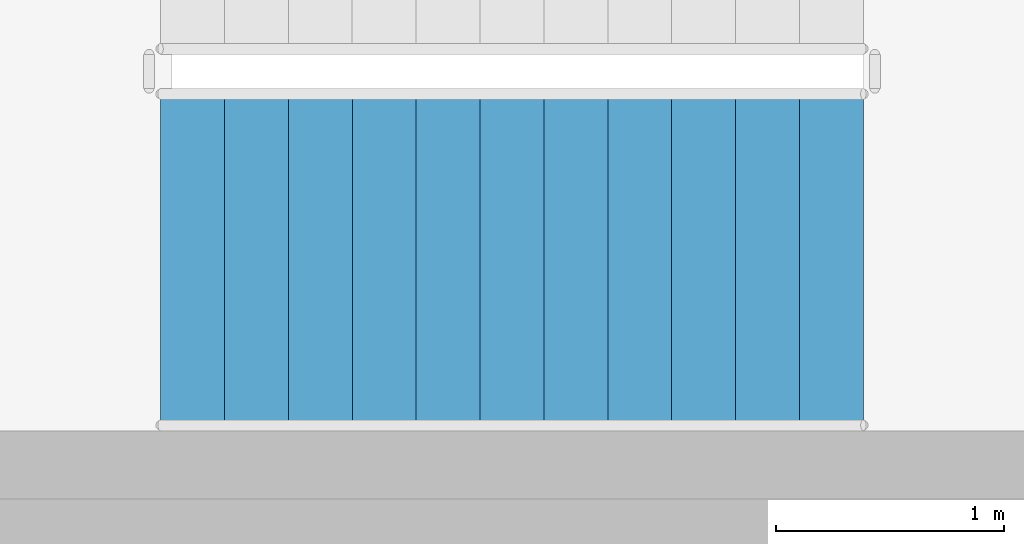
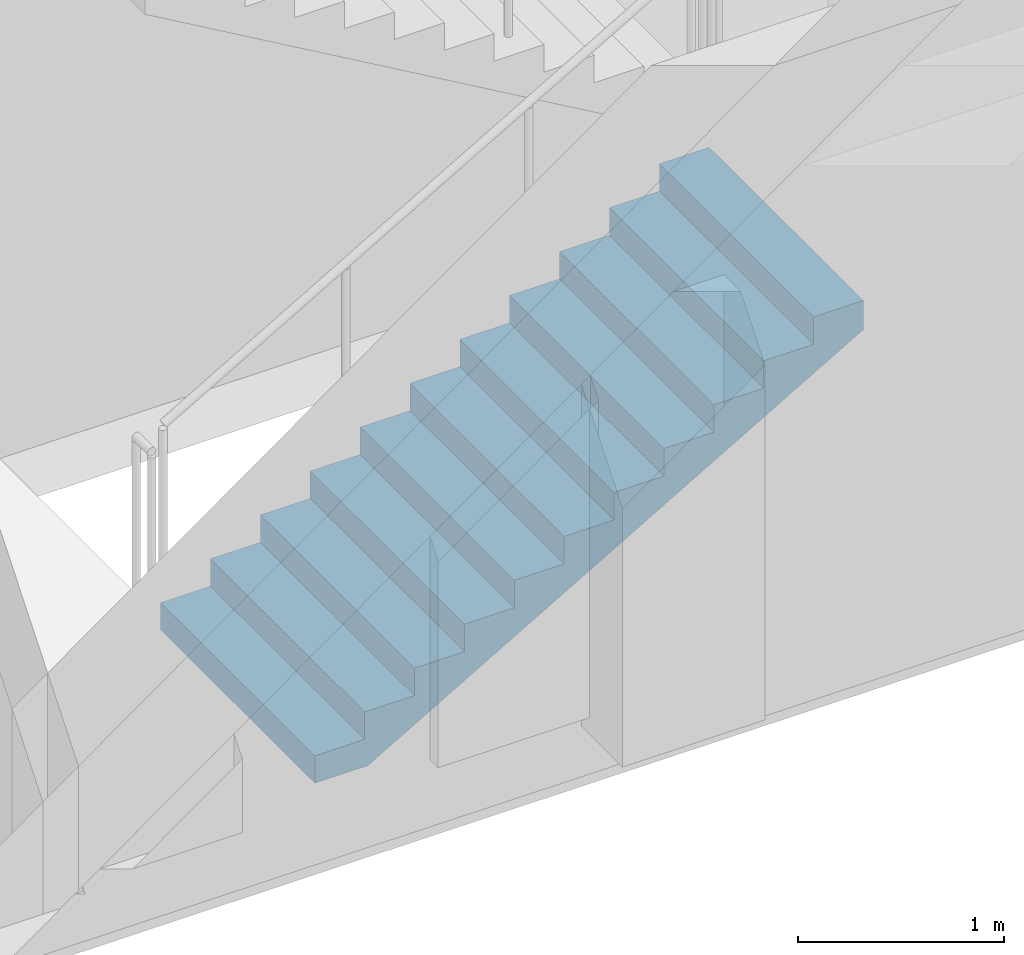
# One storey, part 37 of 42: 1 stair flight, 1 element without a shape of its own.
"""IFC4 building model written with IfcOpenShell, lengths in metres."""

from ifc_helpers import new_model, si_unit, direction, frame, origin, place, context, subcontext, project, spatial, triangles, material, type_object, element, aggregate, save


model = new_model("IFC4")

# Units and contexts
model_context = context("Model", 3, precision=1e-05, world=origin(), true_north=direction((0.0, 1.0)))
body_context = subcontext(model_context, "Body", "Model", "MODEL_VIEW")
ifc_project = project(units=[si_unit("LENGTHUNIT", "METRE"), si_unit("AREAUNIT", "SQUARE_METRE"), si_unit("VOLUMEUNIT", "CUBIC_METRE"), si_unit("PLANEANGLEUNIT", "RADIAN"), si_unit("MASSUNIT", "GRAM", prefix="KILO")], contexts=[model_context])

# Site, building, storey
site_placement = place(None, origin())
site = spatial("IfcSite", under=ifc_project, at=site_placement, CompositionType="ELEMENT")
building_placement = place(site_placement, origin())
building = spatial("IfcBuilding", under=site, at=building_placement, Name="Magnolia Steps Interchange", CompositionType="ELEMENT")
storey_placement = place(building_placement, frame((0.0, 0.0, 12.60009765625)))
storey = spatial("IfcBuildingStorey", under=building, at=storey_placement, Name="L03", CompositionType="ELEMENT", Elevation=12.60009765625)

# Stair, stair flight
ifc_material_1 = material(Name="Concrete C40", Category="concrete")
stair_type = type_object("IfcStairType", Name="Exit stair 1500", PredefinedType="HALF_TURN_STAIR", material=ifc_material_1)
stair_placement = place(storey_placement, origin())
stair = element("IfcStair", 1, at=stair_placement, inside=storey, type_object=stair_type, Name="L03 Stair 29", PredefinedType="HALF_TURN_STAIR")
ifc_material_2 = material(Name="Concrete C40", Category="concrete")
stair_flight_type = type_object("IfcStairFlightType", Name="Exit stair flight", PredefinedType="STRAIGHT", material=ifc_material_2)
stair_flight_placement = place(storey_placement, frame((112.85009765625, 97.60009765625, 0.0), z_axis=(0.0, 0.0, 1.0), x_axis=(1.0, 0.0, 0.0)))
stair_flight = element("IfcStairFlight", 2, at=stair_flight_placement, type_object=stair_flight_type, Name="Stair 29 flight 1", NumberOfRisers=12, NumberOfTreads=11, PredefinedType="STRAIGHT", RiserHeight=0.1625, TreadLength=0.28, context=body_context, shape_type="Tessellation", body=[
    triangles([(0.0, -0.75, 0.0), (0.298583984375, -0.75, 0.0), (3.080078125, -0.75, 1.6142578125), (3.080078125, -0.75, 1.78759765625), (2.800048828125, -0.75, 1.78759765625), (2.800048828125, -0.75, 1.625), (2.52001953125, -0.75, 1.625), (2.52001953125, -0.75, 1.46240234375), (2.239990234375, -0.75, 1.46240234375), (2.239990234375, -0.75, 1.300048828125), (1.9599609375, -0.75, 1.300048828125), (1.9599609375, -0.75, 1.137451171875), (1.679931640625, -0.75, 1.137451171875), (1.679931640625, -0.75, 0.97509765625), (1.39990234375, -0.75, 0.97509765625), (1.39990234375, -0.75, 0.8125), (1.1201171875, -0.75, 0.8125), (1.1201171875, -0.75, 0.64990234375), (0.840087890625, -0.75, 0.64990234375), (0.840087890625, -0.75, 0.487548828125), (0.56005859375, -0.75, 0.487548828125), (0.56005859375, -0.75, 0.324951171875), (0.280029296875, -0.75, 0.324951171875), (0.280029296875, -0.75, 0.16259765625), (0.0, -0.75, 0.16259765625), (0.0, 0.75, 0.0), (0.298583984375, 0.75, 0.0), (3.080078125, 0.75, 1.6142578125), (3.080078125, 0.75, 1.78759765625), (2.800048828125, 0.75, 1.78759765625), (2.800048828125, 0.75, 1.625), (2.52001953125, 0.75, 1.625), (2.52001953125, 0.75, 1.46240234375), (2.239990234375, 0.75, 1.46240234375), (2.239990234375, 0.75, 1.300048828125), (1.9599609375, 0.75, 1.300048828125), (1.9599609375, 0.75, 1.137451171875), (1.679931640625, 0.75, 1.137451171875), (1.679931640625, 0.75, 0.97509765625), (1.39990234375, 0.75, 0.97509765625), (1.39990234375, 0.75, 0.8125), (1.1201171875, 0.75, 0.8125), (1.1201171875, 0.75, 0.64990234375), (0.840087890625, 0.75, 0.64990234375), (0.840087890625, 0.75, 0.487548828125), (0.56005859375, 0.75, 0.487548828125), (0.56005859375, 0.75, 0.324951171875), (0.280029296875, 0.75, 0.324951171875), (0.280029296875, 0.75, 0.16259765625), (0.0, 0.75, 0.16259765625), (0.0, 0.0, 0.0), (0.0, 0.0, 0.0406494140625), (0.0, 0.0, 0.081298828125), (0.0, 0.0, 0.1219482421875), (0.0, 0.0, 0.16259765625), (0.0, -0.05, 0.0), (0.0, -0.05, 0.16259765625), (0.0, 0.05, 0.0), (0.0, 0.05, 0.16259765625), (0.046671549479166664, 0.0, 0.16259765625), (0.09334309895833333, 0.0, 0.16259765625), (0.1400146484375, 0.0, 0.16259765625), (0.18668619791666666, 0.0, 0.16259765625), (0.23335774739583334, 0.0, 0.16259765625), (0.280029296875, 0.0, 0.16259765625), (0.280029296875, -0.05, 0.16259765625), (0.280029296875, 0.05, 0.16259765625), (0.280029296875, 0.0, 0.20318603515625), (0.280029296875, 0.0, 0.2437744140625), (0.280029296875, 0.0, 0.28436279296875), (0.280029296875, 0.0, 0.324951171875), (0.280029296875, -0.05, 0.324951171875), (0.280029296875, 0.05, 0.324951171875), (0.3267008463541667, 0.0, 0.324951171875), (0.3733723958333333, 0.0, 0.324951171875), (0.4200439453125, 0.0, 0.324951171875), (0.46671549479166663, 0.0, 0.324951171875), (0.5133870442708334, 0.0, 0.324951171875), (0.56005859375, 0.0, 0.324951171875), (0.56005859375, -0.05, 0.324951171875), (0.56005859375, 0.05, 0.324951171875), (0.56005859375, 0.0, 0.3656005859375), (0.56005859375, 0.0, 0.40625), (0.56005859375, 0.0, 0.4468994140625), (0.56005859375, 0.0, 0.487548828125), (0.56005859375, -0.05, 0.487548828125), (0.56005859375, 0.05, 0.487548828125), (0.6067301432291666, 0.0, 0.487548828125), (0.6534016927083334, 0.0, 0.487548828125), (0.7000732421875, 0.0, 0.487548828125), (0.7467447916666666, 0.0, 0.487548828125), (0.7934163411458334, 0.0, 0.487548828125), (0.840087890625, 0.0, 0.487548828125), (0.840087890625, -0.05, 0.487548828125), (0.840087890625, 0.05, 0.487548828125), (0.840087890625, 0.0, 0.52813720703125), (0.840087890625, 0.0, 0.5687255859375), (0.840087890625, 0.0, 0.60931396484375), (0.840087890625, 0.0, 0.64990234375), (0.840087890625, -0.05, 0.64990234375), (0.840087890625, 0.05, 0.64990234375), (0.8867594401041666, 0.0, 0.64990234375), (0.9334309895833334, 0.0, 0.64990234375), (0.9801025390625, 0.0, 0.64990234375), (1.0267740885416667, 0.0, 0.64990234375), (1.0734456380208333, 0.0, 0.64990234375), (1.1201171875, 0.0, 0.64990234375), (1.1201171875, -0.05, 0.64990234375), (1.1201171875, 0.05, 0.64990234375), (1.1201171875, 0.0, 0.6905517578125), (1.1201171875, 0.0, 0.731201171875), (1.1201171875, 0.0, 0.7718505859375), (1.1201171875, 0.0, 0.8125), (1.1201171875, -0.05, 0.8125), (1.1201171875, 0.05, 0.8125), (1.1900634765625, 0.0, 0.8125), (1.260009765625, 0.0, 0.8125), (1.3299560546875, 0.0, 0.8125), (1.39990234375, 0.0, 0.8125), (1.39990234375, -0.05, 0.8125), (1.39990234375, 0.05, 0.8125), (1.39990234375, 0.0, 0.8531494140625), (1.39990234375, 0.0, 0.893798828125), (1.39990234375, 0.0, 0.9344482421875), (1.39990234375, 0.0, 0.97509765625), (1.39990234375, -0.05, 0.97509765625), (1.39990234375, 0.05, 0.97509765625), (1.4465738932291667, 0.0, 0.97509765625), (1.4932454427083333, 0.0, 0.97509765625), (1.5399169921875, 0.0, 0.97509765625), (1.5865885416666667, 0.0, 0.97509765625), (1.6332600911458333, 0.0, 0.97509765625), (1.679931640625, 0.0, 0.97509765625), (1.679931640625, -0.05, 0.97509765625), (1.679931640625, 0.05, 0.97509765625), (1.679931640625, 0.0, 1.01568603515625), (1.679931640625, 0.0, 1.0562744140625), (1.679931640625, 0.0, 1.09686279296875), (1.679931640625, 0.0, 1.137451171875), (1.679931640625, -0.05, 1.137451171875), (1.679931640625, 0.05, 1.137451171875), (1.7266031901041667, 0.0, 1.137451171875), (1.7732747395833333, 0.0, 1.137451171875), (1.8199462890625, 0.0, 1.137451171875), (1.8666178385416667, 0.0, 1.137451171875), (1.9132893880208333, 0.0, 1.137451171875), (1.9599609375, 0.0, 1.137451171875), (1.9599609375, -0.05, 1.137451171875), (1.9599609375, 0.05, 1.137451171875), (1.9599609375, 0.0, 1.1781005859375), (1.9599609375, 0.0, 1.21875), (1.9599609375, 0.0, 1.2593994140625), (1.9599609375, 0.0, 1.300048828125), (1.9599609375, -0.05, 1.300048828125), (1.9599609375, 0.05, 1.300048828125), (2.0066324869791665, 0.0, 1.300048828125), (2.0533040364583335, 0.0, 1.300048828125), (2.0999755859375, 0.0, 1.300048828125), (2.1466471354166665, 0.0, 1.300048828125), (2.1933186848958335, 0.0, 1.300048828125), (2.239990234375, 0.0, 1.300048828125), (2.239990234375, -0.05, 1.300048828125), (2.239990234375, 0.05, 1.300048828125), (2.239990234375, 0.0, 1.34063720703125), (2.239990234375, 0.0, 1.3812255859375), (2.239990234375, 0.0, 1.42181396484375), (2.239990234375, 0.0, 1.46240234375), (2.239990234375, -0.05, 1.46240234375), (2.239990234375, 0.05, 1.46240234375), (2.2866617838541665, 0.0, 1.46240234375), (2.3333333333333335, 0.0, 1.46240234375), (2.3800048828125, 0.0, 1.46240234375), (2.4266764322916665, 0.0, 1.46240234375), (2.4733479817708335, 0.0, 1.46240234375), (2.52001953125, 0.0, 1.46240234375), (2.52001953125, -0.05, 1.46240234375), (2.52001953125, 0.05, 1.46240234375), (2.52001953125, 0.0, 1.5030517578125), (2.52001953125, 0.0, 1.543701171875), (2.52001953125, 0.0, 1.5843505859375), (2.52001953125, 0.0, 1.625), (2.52001953125, -0.05, 1.625), (2.52001953125, 0.05, 1.625), (2.5666910807291665, 0.0, 1.625), (2.6133626302083335, 0.0, 1.625), (2.6600341796875, 0.0, 1.625), (2.7067057291666665, 0.0, 1.625), (2.7533772786458335, 0.0, 1.625), (2.800048828125, 0.0, 1.625), (2.800048828125, -0.05, 1.625), (2.800048828125, 0.05, 1.625), (2.800048828125, 0.0, 1.6656494140625), (2.800048828125, 0.0, 1.706298828125), (2.800048828125, 0.0, 1.7469482421875), (2.800048828125, 0.0, 1.78759765625), (2.800048828125, -0.05, 1.78759765625), (2.800048828125, 0.05, 1.78759765625), (2.8467203776041665, 0.0, 1.78759765625), (2.8933919270833335, 0.0, 1.78759765625), (2.9400634765625, 0.0, 1.78759765625), (2.9867350260416665, 0.0, 1.78759765625), (3.0334065755208335, 0.0, 1.78759765625), (3.080078125, 0.0, 1.78759765625), (3.080078125, -0.05, 1.78759765625), (3.080078125, 0.05, 1.78759765625), (3.080078125, 0.0, 1.7442626953125), (3.080078125, 0.0, 1.700927734375), (3.080078125, 0.0, 1.6575927734375), (3.080078125, 0.0, 1.6142578125), (3.080078125, -0.05, 1.6142578125), (3.080078125, 0.05, 1.6142578125), (3.0196108610733696, 0.0, 1.5791652513586956), (2.9591435971467392, 0.0, 1.5440726902173914), (2.898676333220109, 0.0, 1.508980129076087), (2.8382090692934785, 0.0, 1.4738875679347827), (2.7777418053668477, 0.0, 1.4387950067934783), (2.7172745414402173, 0.0, 1.4037024456521738), (2.656807277513587, 0.0, 1.3686098845108696), (2.5963400135869565, 0.0, 1.3335173233695652), (2.535872749660326, 0.0, 1.2984247622282608), (2.475405485733696, 0.0, 1.2633322010869565), (2.4149382218070654, 0.0, 1.228239639945652), (2.3544709578804346, 0.0, 1.193147078804348), (2.294003693953804, 0.0, 1.1580545176630435), (2.233536430027174, 0.0, 1.1229619565217392), (2.1730691661005435, 0.0, 1.0878693953804348), (2.112601902173913, 0.0, 1.0527768342391304), (2.0521346382472827, 0.0, 1.0176842730978262), (1.991667374320652, 0.0, 0.9825917119565217), (1.9312001103940217, 0.0, 0.9474991508152174), (1.8707328464673914, 0.0, 0.9124065896739131), (1.810265582540761, 0.0, 0.8773140285326086), (1.7497983186141304, 0.0, 0.8422214673913043), (1.6893310546875, 0.0, 0.80712890625), (1.6288637907608696, 0.0, 0.7720363451086957), (1.568396526834239, 0.0, 0.7369437839673914), (1.5079292629076086, 0.0, 0.7018512228260869), (1.4474619989809783, 0.0, 0.6667586616847826), (1.386994735054348, 0.0, 0.6316661005434783), (1.3265274711277173, 0.0, 0.5965735394021738), (1.266060207201087, 0.0, 0.5614809782608696), (1.2055929432744565, 0.0, 0.5263884171195652), (1.1451256793478262, 0.0, 0.491295855978261), (1.0846584154211956, 0.0, 0.45620329483695654), (1.0241911514945654, 0.0, 0.4211107336956521), (0.9637238875679346, 0.0, 0.3860181725543479), (0.9032566236413042, 0.0, 0.35092561141304346), (0.8427893597146738, 0.0, 0.315833050271739), (0.7823220957880435, 0.0, 0.2807404891304348), (0.7218548318614131, 0.0, 0.24564792798913038), (0.6613875679347827, 0.0, 0.21055536684782616), (0.6009203040081523, 0.0, 0.17546280570652173), (0.540453040081522, 0.0, 0.1403702445652173), (0.47998577615489113, 0.0, 0.10527768342391308), (0.41951851222826075, 0.0, 0.07018512228260865), (0.3590512483016304, 0.0, 0.035092561141304435), (0.298583984375, 0.0, 0.0), (0.298583984375, -0.05, 0.0), (0.298583984375, 0.05, 0.0), (0.24881998697916666, 0.0, 0.0), (0.19905598958333331, 0.0, 0.0), (0.1492919921875, 0.0, 0.0), (0.09952799479166666, 0.0, 0.0), (0.04976399739583334, 0.0, 0.0)], [[1, 2, 3], [3, 4, 5], [3, 5, 6], [3, 6, 7], [3, 7, 8], [8, 9, 10], [3, 8, 10], [10, 11, 12], [3, 10, 12], [12, 13, 14], [3, 12, 14], [14, 15, 16], [3, 14, 16], [16, 17, 18], [3, 16, 18], [18, 19, 20], [3, 18, 20], [20, 21, 22], [3, 20, 22], [1, 3, 22], [22, 23, 24], [1, 22, 24], [24, 25, 1], [26, 28, 27], [28, 30, 29], [28, 31, 30], [28, 32, 31], [28, 33, 32], [33, 35, 34], [28, 35, 33], [35, 37, 36], [28, 37, 35], [37, 39, 38], [28, 39, 37], [39, 41, 40], [28, 41, 39], [41, 43, 42], [28, 43, 41], [43, 45, 44], [28, 45, 43], [45, 47, 46], [28, 47, 45], [26, 47, 28], [47, 49, 48], [26, 49, 47], [49, 26, 50], [1, 25, 57], [1, 57, 56], [56, 52, 51], [56, 53, 52], [56, 57, 53], [57, 54, 53], [57, 55, 54], [26, 59, 50], [26, 58, 59], [58, 51, 52], [58, 52, 53], [58, 53, 59], [59, 53, 54], [59, 54, 55], [25, 24, 66], [25, 66, 57], [57, 60, 55], [57, 61, 60], [57, 62, 61], [57, 66, 62], [66, 63, 62], [66, 64, 63], [66, 65, 64], [50, 67, 49], [50, 59, 67], [59, 55, 60], [59, 60, 61], [59, 61, 62], [59, 62, 67], [67, 62, 63], [67, 63, 64], [67, 64, 65], [24, 23, 72], [24, 72, 66], [66, 68, 65], [66, 69, 68], [66, 72, 69], [72, 70, 69], [72, 71, 70], [49, 73, 48], [49, 67, 73], [67, 65, 68], [67, 68, 69], [67, 69, 73], [73, 69, 70], [73, 70, 71], [23, 22, 80], [23, 80, 72], [72, 74, 71], [72, 75, 74], [72, 76, 75], [72, 80, 76], [80, 77, 76], [80, 78, 77], [80, 79, 78], [48, 81, 47], [48, 73, 81], [73, 71, 74], [73, 74, 75], [73, 75, 76], [73, 76, 81], [81, 76, 77], [81, 77, 78], [81, 78, 79], [22, 21, 86], [22, 86, 80], [80, 82, 79], [80, 83, 82], [80, 86, 83], [86, 84, 83], [86, 85, 84], [47, 87, 46], [47, 81, 87], [81, 79, 82], [81, 82, 83], [81, 83, 87], [87, 83, 84], [87, 84, 85], [21, 20, 94], [21, 94, 86], [86, 88, 85], [86, 89, 88], [86, 90, 89], [86, 94, 90], [94, 91, 90], [94, 92, 91], [94, 93, 92], [46, 95, 45], [46, 87, 95], [87, 85, 88], [87, 88, 89], [87, 89, 90], [87, 90, 95], [95, 90, 91], [95, 91, 92], [95, 92, 93], [20, 19, 100], [20, 100, 94], [94, 96, 93], [94, 97, 96], [94, 100, 97], [100, 98, 97], [100, 99, 98], [45, 101, 44], [45, 95, 101], [95, 93, 96], [95, 96, 97], [95, 97, 101], [101, 97, 98], [101, 98, 99], [19, 18, 108], [19, 108, 100], [100, 102, 99], [100, 103, 102], [100, 104, 103], [100, 108, 104], [108, 105, 104], [108, 106, 105], [108, 107, 106], [44, 109, 43], [44, 101, 109], [101, 99, 102], [101, 102, 103], [101, 103, 104], [101, 104, 109], [109, 104, 105], [109, 105, 106], [109, 106, 107], [18, 17, 114], [18, 114, 108], [108, 110, 107], [108, 111, 110], [108, 114, 111], [114, 112, 111], [114, 113, 112], [43, 115, 42], [43, 109, 115], [109, 107, 110], [109, 110, 111], [109, 111, 115], [115, 111, 112], [115, 112, 113], [17, 16, 120], [17, 120, 114], [114, 116, 113], [114, 117, 116], [114, 120, 117], [120, 118, 117], [120, 119, 118], [42, 121, 41], [42, 115, 121], [115, 113, 116], [115, 116, 117], [115, 117, 121], [121, 117, 118], [121, 118, 119], [16, 15, 126], [16, 126, 120], [120, 122, 119], [120, 123, 122], [120, 126, 123], [126, 124, 123], [126, 125, 124], [41, 127, 40], [41, 121, 127], [121, 119, 122], [121, 122, 123], [121, 123, 127], [127, 123, 124], [127, 124, 125], [15, 14, 134], [15, 134, 126], [126, 128, 125], [126, 129, 128], [126, 130, 129], [126, 134, 130], [134, 131, 130], [134, 132, 131], [134, 133, 132], [40, 135, 39], [40, 127, 135], [127, 125, 128], [127, 128, 129], [127, 129, 130], [127, 130, 135], [135, 130, 131], [135, 131, 132], [135, 132, 133], [14, 13, 140], [14, 140, 134], [134, 136, 133], [134, 137, 136], [134, 140, 137], [140, 138, 137], [140, 139, 138], [39, 141, 38], [39, 135, 141], [135, 133, 136], [135, 136, 137], [135, 137, 141], [141, 137, 138], [141, 138, 139], [13, 12, 148], [13, 148, 140], [140, 142, 139], [140, 143, 142], [140, 144, 143], [140, 148, 144], [148, 145, 144], [148, 146, 145], [148, 147, 146], [38, 149, 37], [38, 141, 149], [141, 139, 142], [141, 142, 143], [141, 143, 144], [141, 144, 149], [149, 144, 145], [149, 145, 146], [149, 146, 147], [12, 11, 154], [12, 154, 148], [148, 150, 147], [148, 151, 150], [148, 154, 151], [154, 152, 151], [154, 153, 152], [37, 155, 36], [37, 149, 155], [149, 147, 150], [149, 150, 151], [149, 151, 155], [155, 151, 152], [155, 152, 153], [11, 10, 162], [11, 162, 154], [154, 156, 153], [154, 157, 156], [154, 158, 157], [154, 162, 158], [162, 159, 158], [162, 160, 159], [162, 161, 160], [36, 163, 35], [36, 155, 163], [155, 153, 156], [155, 156, 157], [155, 157, 158], [155, 158, 163], [163, 158, 159], [163, 159, 160], [163, 160, 161], [10, 9, 168], [10, 168, 162], [162, 164, 161], [162, 165, 164], [162, 168, 165], [168, 166, 165], [168, 167, 166], [35, 169, 34], [35, 163, 169], [163, 161, 164], [163, 164, 165], [163, 165, 169], [169, 165, 166], [169, 166, 167], [9, 8, 176], [9, 176, 168], [168, 170, 167], [168, 171, 170], [168, 172, 171], [168, 176, 172], [176, 173, 172], [176, 174, 173], [176, 175, 174], [34, 177, 33], [34, 169, 177], [169, 167, 170], [169, 170, 171], [169, 171, 172], [169, 172, 177], [177, 172, 173], [177, 173, 174], [177, 174, 175], [8, 7, 182], [8, 182, 176], [176, 178, 175], [176, 179, 178], [176, 182, 179], [182, 180, 179], [182, 181, 180], [33, 183, 32], [33, 177, 183], [177, 175, 178], [177, 178, 179], [177, 179, 183], [183, 179, 180], [183, 180, 181], [7, 6, 190], [7, 190, 182], [182, 184, 181], [182, 185, 184], [182, 186, 185], [182, 190, 186], [190, 187, 186], [190, 188, 187], [190, 189, 188], [32, 191, 31], [32, 183, 191], [183, 181, 184], [183, 184, 185], [183, 185, 186], [183, 186, 191], [191, 186, 187], [191, 187, 188], [191, 188, 189], [6, 5, 196], [6, 196, 190], [190, 192, 189], [190, 193, 192], [190, 196, 193], [196, 194, 193], [196, 195, 194], [31, 197, 30], [31, 191, 197], [191, 189, 192], [191, 192, 193], [191, 193, 197], [197, 193, 194], [197, 194, 195], [5, 4, 204], [5, 204, 196], [196, 198, 195], [196, 199, 198], [196, 200, 199], [196, 204, 200], [204, 201, 200], [204, 202, 201], [204, 203, 202], [30, 205, 29], [30, 197, 205], [197, 195, 198], [197, 198, 199], [197, 199, 200], [197, 200, 205], [205, 200, 201], [205, 201, 202], [205, 202, 203], [4, 3, 210], [4, 210, 204], [204, 206, 203], [204, 207, 206], [204, 210, 207], [210, 208, 207], [210, 209, 208], [29, 211, 28], [29, 205, 211], [205, 203, 206], [205, 206, 207], [205, 207, 211], [211, 207, 208], [211, 208, 209], [3, 2, 258], [3, 258, 210], [210, 212, 209], [210, 213, 212], [210, 214, 213], [210, 215, 214], [210, 216, 215], [210, 217, 216], [210, 218, 217], [210, 219, 218], [210, 220, 219], [210, 221, 220], [210, 222, 221], [210, 223, 222], [210, 224, 223], [210, 225, 224], [210, 226, 225], [210, 227, 226], [210, 228, 227], [210, 229, 228], [210, 230, 229], [210, 231, 230], [210, 232, 231], [210, 233, 232], [210, 234, 233], [210, 258, 234], [258, 235, 234], [258, 236, 235], [258, 237, 236], [258, 238, 237], [258, 239, 238], [258, 240, 239], [258, 241, 240], [258, 242, 241], [258, 243, 242], [258, 244, 243], [258, 245, 244], [258, 246, 245], [258, 247, 246], [258, 248, 247], [258, 249, 248], [258, 250, 249], [258, 251, 250], [258, 252, 251], [258, 253, 252], [258, 254, 253], [258, 255, 254], [258, 256, 255], [258, 257, 256], [28, 259, 27], [28, 211, 259], [211, 209, 212], [211, 212, 213], [211, 213, 214], [211, 214, 215], [211, 215, 216], [211, 216, 217], [211, 217, 218], [211, 218, 219], [211, 219, 220], [211, 220, 221], [211, 221, 222], [211, 222, 223], [211, 223, 224], [211, 224, 225], [211, 225, 226], [211, 226, 227], [211, 227, 228], [211, 228, 229], [211, 229, 230], [211, 230, 231], [211, 231, 232], [211, 232, 233], [211, 233, 234], [211, 234, 259], [259, 234, 235], [259, 235, 236], [259, 236, 237], [259, 237, 238], [259, 238, 239], [259, 239, 240], [259, 240, 241], [259, 241, 242], [259, 242, 243], [259, 243, 244], [259, 244, 245], [259, 245, 246], [259, 246, 247], [259, 247, 248], [259, 248, 249], [259, 249, 250], [259, 250, 251], [259, 251, 252], [259, 252, 253], [259, 253, 254], [259, 254, 255], [259, 255, 256], [259, 256, 257], [2, 1, 56], [2, 56, 258], [258, 260, 257], [258, 261, 260], [258, 262, 261], [258, 56, 262], [56, 263, 262], [56, 264, 263], [56, 51, 264], [27, 58, 26], [27, 259, 58], [259, 257, 260], [259, 260, 261], [259, 261, 262], [259, 262, 58], [58, 262, 263], [58, 263, 264], [58, 264, 51]], closed=True),
])
aggregate(stair, [stair_flight])

save(model, "model.ifc")
